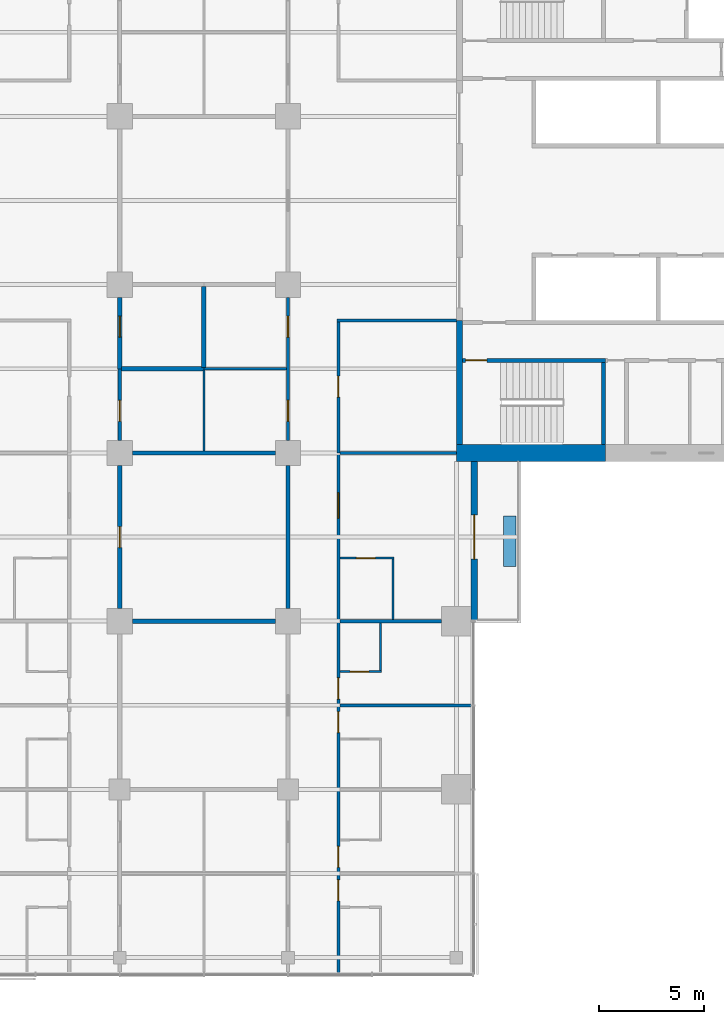
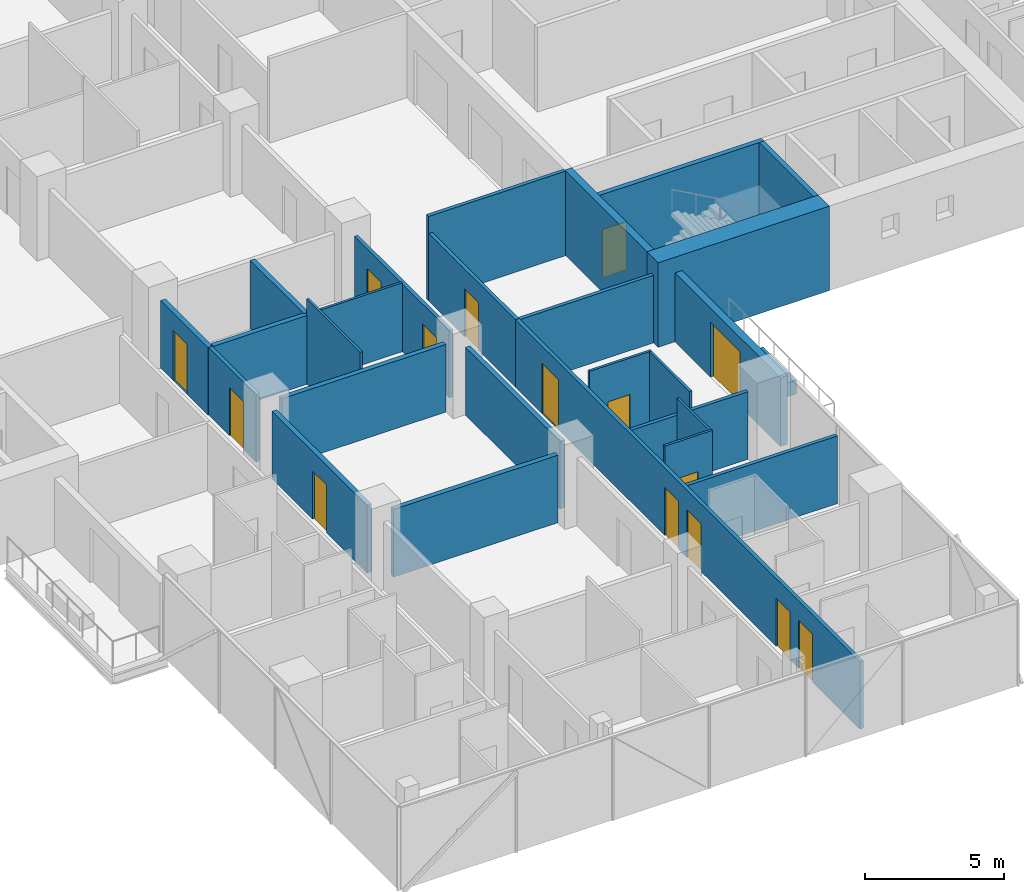
# One storey, part 17 of 29: 27 walls, 15 doors, 15 openings.
"""IFC4 building model written with IfcOpenShell, lengths in metres."""

from ifc_helpers import new_model, si_unit, direction, frame, frame_2d, origin, place, context, subcontext, project, spatial, rectangle, extrude, material, layer, layer_set, constituent, constituent_set, type_object, element, fill, save


model = new_model("IFC4")

# Units and contexts
model_context = context("Model", 3, precision=1e-05, world=origin(), true_north=direction((0.0, 1.0)))
body_context = subcontext(model_context, "Body", "Model", "MODEL_VIEW")
ifc_project = project(units=[si_unit("LENGTHUNIT", "METRE"), si_unit("AREAUNIT", "SQUARE_METRE"), si_unit("VOLUMEUNIT", "CUBIC_METRE"), si_unit("PLANEANGLEUNIT", "RADIAN"), si_unit("MASSUNIT", "GRAM", prefix="KILO")], contexts=[model_context])

# Site, building, storey
site_placement = place(None, origin())
site = spatial("IfcSite", under=ifc_project, at=site_placement, CompositionType="ELEMENT")
building_placement = place(site_placement, origin())
building = spatial("IfcBuilding", under=site, at=building_placement, Name="Crosswind Convention Tower", CompositionType="ELEMENT")
storey_placement = place(building_placement, frame((0.0, 0.0, 60.89990234375)))
storey = spatial("IfcBuildingStorey", under=building, at=storey_placement, Name="L09", CompositionType="ELEMENT", Elevation=60.89990234375)

# Wall
ifc_material_1 = material(Name="Concrete blockwork", Category="masonry")
ifc_layer_1 = layer(ifc_material_1, 0.199951171875)
ifc_layer_set_1 = layer_set([ifc_layer_1], Name="COMPARTMENT WALL 200")
wall_type_1 = type_object("IfcWallType", Name="COMPARTMENT WALL 200", PredefinedType="SOLIDWALL", material=ifc_layer_set_1)
wall_1_placement = place(storey_placement, frame((121.074951171875, 92.0, 0.0), z_axis=(0.0, 0.0, 1.0), x_axis=(1.0, 0.0, 0.0)))
element("IfcWall", 1, at=wall_1_placement, inside=storey, type_object=wall_type_1, Name="Compartment Wall 28", PredefinedType="SOLIDWALL", context=body_context, shape_type="SweptSolid", body=[
    extrude(rectangle(XDim=3.925048828125, YDim=0.199951171875, at=frame_2d((1.96240234375, 0.0))), origin(), (0.0, 0.0, 1.0), 3.013671875),
])

# Wall, opening, door
wall_2_placement = place(storey_placement, frame((121.0, 92.0, 0.0), z_axis=(0.0, 0.0, 1.0), x_axis=(0.0, 1.0, 0.0)))
wall_2 = element("IfcWall", 2, at=wall_2_placement, inside=storey, type_object=wall_type_1, Name="Compartment Wall 112", PredefinedType="SOLIDWALL", context=body_context, shape_type="SweptSolid", body=[
    extrude(rectangle(XDim=3.39990234375, YDim=0.199951171875, at=frame_2d((1.699951171875, 0.0))), origin(), (0.0, 0.0, 1.0), 2.9599609375),
])
opening_1_placement = place(wall_2_placement, frame((1.5, 0.0, 0.0)))
opening_1 = element("IfcOpeningElement", 3, at=opening_1_placement, cuts=wall_2, Name="Opening 09.076", PredefinedType="OPENING", context=body_context, shape_type="SweptSolid", body=[
    extrude(rectangle(XDim=1.0, YDim=2.199951171875, at=frame_2d((0.5, 1.10009765625))), frame((0.0, 0.10986328125, 0.0), z_axis=(0.0, -1.0, 0.0), x_axis=(1.0, 0.0, 0.0)), (0.0, 0.0, 1.0), 0.219970703125),
])
ifc_material_2 = material(Name="Steel fire door", Category="steel")
door_type_1 = type_object("IfcDoorType", Name="PLANT ROOM DOOR 1000X2200", OperationType="NOTDEFINED", PredefinedType="DOOR", material=ifc_material_2)
door_1_placement = place(opening_1_placement, frame((1.0, 0.0, 0.0), z_axis=(0.0, 0.0, 1.0), x_axis=(-1.0, 0.0, 0.0)))
door_1 = element("IfcDoor", 4, at=door_1_placement, inside=storey, type_object=door_type_1, Name="Door 09.076", ObjectType="D6", OperationType="SINGLE_SWING_LEFT", OverallHeight=2.199951171875, OverallWidth=1.0, PredefinedType="DOOR", context=body_context, shape_type="SweptSolid", body=[
    extrude(rectangle(XDim=1.0, YDim=2.199951171875, at=frame_2d((0.5, 1.10009765625))), frame((0.0, 0.02490234375, 0.0), z_axis=(0.0, -1.0, 0.0), x_axis=(1.0, 0.0, 0.0)), (0.0, 0.0, 1.0), 0.050048828125),
])
fill(opening_1, door_1)

# Walls
wall_3_placement = place(storey_placement, frame((125.0, 92.050048828125, 0.0), z_axis=(0.0, 0.0, 1.0), x_axis=(0.0, 1.0, 0.0)))
element("IfcWall", 5, at=wall_3_placement, inside=storey, type_object=wall_type_1, Name="Compartment Wall 123", PredefinedType="SOLIDWALL", context=body_context, shape_type="SweptSolid", body=[
    extrude(rectangle(XDim=3.849853515625, YDim=0.199951171875, at=frame_2d((1.9248046875, 0.0))), origin(), (0.0, 0.0, 1.0), 3.013671875),
])
ifc_material_3 = material(Name="Plasterboard partition", Category="gypsum")
ifc_layer_2 = layer(ifc_material_3, 0.14990234375)
ifc_layer_set_2 = layer_set([ifc_layer_2], Name="CORRIDOR WALL 150")
wall_type_2 = type_object("IfcWallType", Name="CORRIDOR WALL 150", PredefinedType="PARTITIONING", material=ifc_layer_set_2)
wall_4_placement = place(storey_placement, frame((131.324951171875, 94.300048828125, 0.0), z_axis=(0.0, 0.0, 1.0), x_axis=(1.0, 0.0, 0.0)))
element("IfcWall", 6, at=wall_4_placement, inside=storey, type_object=wall_type_2, Name="Corridor Wall 32", PredefinedType="PARTITIONING", context=body_context, shape_type="SweptSolid", body=[
    extrude(rectangle(XDim=5.675048828125, YDim=0.14990234375, at=frame_2d((2.83740234375, 0.0))), origin(), (0.0, 0.0, 1.0), 3.7001953125),
])

# Wall, opening, door
wall_5_placement = place(storey_placement, frame((121.0, 88.60009765625, 0.0), z_axis=(0.0, 0.0, 1.0), x_axis=(0.0, 1.0, 0.0)))
wall_5 = element("IfcWall", 7, at=wall_5_placement, inside=storey, type_object=wall_type_2, Name="Corridor Wall 111", PredefinedType="PARTITIONING", context=body_context, shape_type="SweptSolid", body=[
    extrude(rectangle(XDim=3.39990234375, YDim=0.14990234375, at=frame_2d((1.699951171875, 0.0))), origin(), (0.0, 0.0, 1.0), 2.9599609375),
])
opening_2_placement = place(wall_5_placement, frame((0.89990234375, 0.0, 0.0)))
opening_2 = element("IfcOpeningElement", 8, at=opening_2_placement, cuts=wall_5, Name="Opening 09.075", PredefinedType="OPENING", context=body_context, shape_type="SweptSolid", body=[
    extrude(rectangle(XDim=1.0, YDim=2.10009765625, at=frame_2d((0.5, 1.050048828125))), frame((0.0, 0.0849609375, 0.0), z_axis=(0.0, -1.0, 0.0), x_axis=(1.0, 0.0, 0.0)), (0.0, 0.0, 1.0), 0.169921875),
])
ifc_material_4 = material(Name="Timber fire door", Category="wood")
door_type_2 = type_object("IfcDoorType", Name="SERVICE ROOM DOOR 1000X2100", OperationType="NOTDEFINED", PredefinedType="DOOR", material=ifc_material_4)
door_2_placement = place(opening_2_placement, frame((1.0, 0.0, 0.0), z_axis=(0.0, 0.0, 1.0), x_axis=(-1.0, 0.0, 0.0)))
door_2 = element("IfcDoor", 9, at=door_2_placement, inside=storey, type_object=door_type_2, Name="Door 09.075", ObjectType="D3", OperationType="SINGLE_SWING_RIGHT", OverallHeight=2.10009765625, OverallWidth=1.0, PredefinedType="DOOR", context=body_context, shape_type="SweptSolid", body=[
    extrude(rectangle(XDim=1.0, YDim=2.10009765625, at=frame_2d((0.5, 1.050048828125))), frame((0.0, 0.02490234375, 0.0), z_axis=(0.0, -1.0, 0.0), x_axis=(1.0, 0.0, 0.0)), (0.0, 0.0, 1.0), 0.050048828125),
])
fill(opening_2, door_2)

# Wall, openings, doors
wall_6_placement = place(storey_placement, frame((129.0, 88.60009765625, 0.0), z_axis=(0.0, 0.0, 1.0), x_axis=(0.0, 1.0, 0.0)))
wall_6 = element("IfcWall", 10, at=wall_6_placement, inside=storey, type_object=wall_type_2, Name="Corridor Wall 132", PredefinedType="PARTITIONING", context=body_context, shape_type="SweptSolid", body=[
    extrude(rectangle(XDim=6.7998046875, YDim=0.14990234375, at=frame_2d((3.39990234375, 0.0))), origin(), (0.0, 0.0, 1.0), 2.9599609375),
])
opening_3_placement = place(wall_6_placement, frame((0.89990234375, 0.0, 0.0)))
opening_3 = element("IfcOpeningElement", 11, at=opening_3_placement, cuts=wall_6, Name="Opening 09.077", PredefinedType="OPENING", context=body_context, shape_type="SweptSolid", body=[
    extrude(rectangle(XDim=1.0, YDim=2.10009765625, at=frame_2d((0.5, 1.050048828125))), frame((0.0, 0.0849609375, 0.0), z_axis=(0.0, -1.0, 0.0), x_axis=(1.0, 0.0, 0.0)), (0.0, 0.0, 1.0), 0.169921875),
])
opening_4_placement = place(wall_6_placement, frame((4.89990234375, 0.0, 0.0)))
opening_4 = element("IfcOpeningElement", 12, at=opening_4_placement, cuts=wall_6, Name="Opening 09.078", PredefinedType="OPENING", context=body_context, shape_type="SweptSolid", body=[
    extrude(rectangle(XDim=1.0, YDim=2.10009765625, at=frame_2d((0.5, 1.050048828125))), frame((0.0, 0.0849609375, 0.0), z_axis=(0.0, -1.0, 0.0), x_axis=(1.0, 0.0, 0.0)), (0.0, 0.0, 1.0), 0.169921875),
])
door_3_placement = place(opening_3_placement, origin())
door_3 = element("IfcDoor", 13, at=door_3_placement, inside=storey, type_object=door_type_2, Name="Door 09.077", ObjectType="D3", OperationType="SINGLE_SWING_LEFT", OverallHeight=2.10009765625, OverallWidth=1.0, PredefinedType="DOOR", context=body_context, shape_type="SweptSolid", body=[
    extrude(rectangle(XDim=1.0, YDim=2.10009765625, at=frame_2d((0.5, 1.050048828125))), frame((0.0, 0.02490234375, 0.0), z_axis=(0.0, -1.0, 0.0), x_axis=(1.0, 0.0, 0.0)), (0.0, 0.0, 1.0), 0.050048828125),
])
fill(opening_3, door_3)
door_4_placement = place(opening_4_placement, origin())
door_4 = element("IfcDoor", 14, at=door_4_placement, inside=storey, type_object=door_type_2, Name="Door 09.078", ObjectType="D3", OperationType="SINGLE_SWING_RIGHT", OverallHeight=2.10009765625, OverallWidth=1.0, PredefinedType="DOOR", context=body_context, shape_type="SweptSolid", body=[
    extrude(rectangle(XDim=1.0, YDim=2.10009765625, at=frame_2d((0.5, 1.050048828125))), frame((0.0, 0.02490234375, 0.0), z_axis=(0.0, -1.0, 0.0), x_axis=(1.0, 0.0, 0.0)), (0.0, 0.0, 1.0), 0.050048828125),
])
fill(opening_4, door_4)

# Wall, opening, door
wall_7_placement = place(storey_placement, frame((131.39990234375, 88.0, 0.0), z_axis=(0.0, 0.0, 1.0), x_axis=(0.0, 1.0, 0.0)))
wall_7 = element("IfcWall", 15, at=wall_7_placement, inside=storey, type_object=wall_type_2, Name="Corridor Wall 140", PredefinedType="PARTITIONING", context=body_context, shape_type="SweptSolid", body=[
    extrude(rectangle(XDim=6.22509765625, YDim=0.14990234375, at=frame_2d((3.112548828125, 0.0))), origin(), (0.0, 0.0, 1.0), 2.95654296875),
])
opening_5_placement = place(wall_7_placement, frame((2.64990234375, 0.0, 0.0)))
opening_5 = element("IfcOpeningElement", 16, at=opening_5_placement, cuts=wall_7, Name="Opening 09.002", PredefinedType="OPENING", context=body_context, shape_type="SweptSolid", body=[
    extrude(rectangle(XDim=1.0, YDim=2.10009765625, at=frame_2d((0.5, 1.050048828125))), frame((0.0, 0.0849609375, 0.0), z_axis=(0.0, -1.0, 0.0), x_axis=(1.0, 0.0, 0.0)), (0.0, 0.0, 1.0), 0.169921875),
])
door_5_placement = place(opening_5_placement, frame((1.0, 0.0, 0.0), z_axis=(0.0, 0.0, 1.0), x_axis=(-1.0, 0.0, 0.0)))
door_5 = element("IfcDoor", 17, at=door_5_placement, inside=storey, type_object=door_type_2, Name="Door 09.002", ObjectType="D3", OperationType="SINGLE_SWING_LEFT", OverallHeight=2.10009765625, OverallWidth=1.0, PredefinedType="DOOR", context=body_context, shape_type="SweptSolid", body=[
    extrude(rectangle(XDim=1.0, YDim=2.10009765625, at=frame_2d((0.5, 1.050048828125))), frame((0.0, 0.02490234375, 0.0), z_axis=(0.0, -1.0, 0.0), x_axis=(1.0, 0.0, 0.0)), (0.0, 0.0, 1.0), 0.050048828125),
])
fill(opening_5, door_5)

# Walls
ifc_material_5 = material(Name="Concrete C50/60", Category="concrete")
ifc_layer_3 = layer(ifc_material_5, 0.300048828125)
ifc_layer_set_3 = layer_set([ifc_layer_3], Name="Concrete C50/60")
wall_type_3 = type_object("IfcWallType", Name="Concrete inner core wall 300", PredefinedType="SHEAR", material=ifc_layer_set_3)
wall_8_placement = place(storey_placement, frame((137.14990234375, 88.39990234375, 0.0), z_axis=(0.0, 0.0, 1.0), x_axis=(0.0, 1.0, 0.0)))
element("IfcWall", 18, at=wall_8_placement, inside=storey, type_object=wall_type_3, Name="Wall EM E L09", PredefinedType="SHEAR", context=body_context, shape_type="SweptSolid", body=[
    extrude(rectangle(XDim=5.900146484375, YDim=0.300048828125, at=frame_2d((2.9501953125, 0.0))), origin(), (0.0, 0.0, 1.0), 3.7001953125),
])
ifc_layer_4 = layer(ifc_material_5, 0.199951171875)
ifc_layer_set_4 = layer_set([ifc_layer_4], Name="Concrete C50/60")
wall_type_4 = type_object("IfcWallType", Name="Concrete shaft and stair wall 200", PredefinedType="SHEAR", material=ifc_layer_set_4)
wall_9_placement = place(storey_placement, frame((144.0, 88.39990234375, 0.0), z_axis=(0.0, 0.0, 1.0), x_axis=(0.0, 1.0, 0.0)))
element("IfcWall", 19, at=wall_9_placement, inside=storey, type_object=wall_type_4, Name="Wall MSE E L09", PredefinedType="SHEAR", context=body_context, shape_type="SweptSolid", body=[
    extrude(rectangle(XDim=3.900146484375, YDim=0.199951171875, at=frame_2d((1.9501953125, 0.0))), origin(), (0.0, 0.0, 1.0), 3.7001953125),
])

# Wall, opening, door
wall_10_placement = place(storey_placement, frame((137.300048828125, 92.39990234375, 0.0), z_axis=(0.0, 0.0, 1.0), x_axis=(1.0, 0.0, 0.0)))
wall_10 = element("IfcWall", 20, at=wall_10_placement, inside=storey, type_object=wall_type_4, Name="Wall MCW E L09", PredefinedType="SHEAR", context=body_context, shape_type="SweptSolid", body=[
    extrude(rectangle(XDim=6.800048828125, YDim=0.199951171875, at=frame_2d((3.39990234375, 0.0))), origin(), (0.0, 0.0, 1.0), 3.7001953125),
])
opening_6_placement = place(wall_10_placement, frame((0.14990234375, 0.0, 0.0)))
opening_6 = element("IfcOpeningElement", 21, at=opening_6_placement, cuts=wall_10, Name="Opening D103", PredefinedType="OPENING", context=body_context, shape_type="SweptSolid", body=[
    extrude(rectangle(XDim=1.0, YDim=2.10009765625, at=frame_2d((0.5, 1.050048828125))), frame((0.0, 0.10986328125, 0.0), z_axis=(0.0, -1.0, 0.0), x_axis=(1.0, 0.0, 0.0)), (0.0, 0.0, 1.0), 0.219970703125),
])
door_type_3 = type_object("IfcDoorType", Name="Fire-rated single door 1000x2100", OperationType="NOTDEFINED", PredefinedType="DOOR", material=ifc_material_2)
door_6_placement = place(opening_6_placement, frame((1.0, 0.0, 0.0), z_axis=(0.0, 0.0, 1.0), x_axis=(-1.0, 0.0, 0.0)))
door_6 = element("IfcDoor", 22, at=door_6_placement, inside=storey, type_object=door_type_3, Name="Stair ST2 door L09", ObjectType="D103", OperationType="SINGLE_SWING_RIGHT", OverallHeight=2.10009765625, OverallWidth=1.0, PredefinedType="DOOR", context=body_context, shape_type="SweptSolid", body=[
    extrude(rectangle(XDim=1.0, YDim=2.10009765625, at=frame_2d((0.5, 1.050048828125))), frame((0.0, 0.02490234375, 0.0), z_axis=(0.0, -1.0, 0.0), x_axis=(1.0, 0.0, 0.0)), (0.0, 0.0, 1.0), 0.050048828125),
])
fill(opening_6, door_6)

# Walls
ifc_material_6 = material(Name="Acoustic plasterboard partition", Category="gypsum")
ifc_layer_5 = layer(ifc_material_6, 0.14990234375)
ifc_layer_set_5 = layer_set([ifc_layer_5], Name="GUEST ROOM WALL 150")
wall_type_5 = type_object("IfcWallType", Name="GUEST ROOM WALL 150", PredefinedType="PARTITIONING", material=ifc_layer_set_5)
wall_11_placement = place(storey_placement, frame((131.47509765625, 76.0, 0.0), z_axis=(0.0, 0.0, 1.0), x_axis=(1.0, 0.0, 0.0)))
element("IfcWall", 23, at=wall_11_placement, inside=storey, type_object=wall_type_5, Name="Guest Room Wall 14", PredefinedType="PARTITIONING", context=body_context, shape_type="SweptSolid", body=[
    extrude(rectangle(XDim=6.224853515625, YDim=0.14990234375, at=frame_2d((3.1123046875, 0.0))), origin(), (0.0, 0.0, 1.0), 2.962890625),
])
wall_12_placement = place(storey_placement, frame((131.47509765625, 80.0, 0.0), z_axis=(0.0, 0.0, 1.0), x_axis=(1.0, 0.0, 0.0)))
element("IfcWall", 24, at=wall_12_placement, inside=storey, type_object=wall_type_5, Name="Guest Room Wall 19", PredefinedType="PARTITIONING", context=body_context, shape_type="SweptSolid", body=[
    extrude(rectangle(XDim=4.824951171875, YDim=0.14990234375, at=frame_2d((2.41259765625, 0.0))), origin(), (0.0, 0.0, 1.0), 2.9599609375),
])
wall_13_placement = place(storey_placement, frame((131.47509765625, 88.0, 0.0), z_axis=(0.0, 0.0, 1.0), x_axis=(1.0, 0.0, 0.0)))
element("IfcWall", 25, at=wall_13_placement, inside=storey, type_object=wall_type_5, Name="Guest Room Wall 24", PredefinedType="PARTITIONING", context=body_context, shape_type="SweptSolid", body=[
    extrude(rectangle(XDim=5.52490234375, YDim=0.14990234375, at=frame_2d((2.762451171875, 0.0))), origin(), (0.0, 0.0, 1.0), 2.95654296875),
])

# Wall, openings, doors
wall_14_placement = place(storey_placement, frame((131.39990234375, 63.300048828125, 0.0), z_axis=(0.0, 0.0, 1.0), x_axis=(0.0, 1.0, 0.0)))
wall_14 = element("IfcWall", 26, at=wall_14_placement, inside=storey, type_object=wall_type_5, Name="Guest Room Wall 139", PredefinedType="PARTITIONING", context=body_context, shape_type="SweptSolid", body=[
    extrude(rectangle(XDim=24.699951171875, YDim=0.14990234375, at=frame_2d((12.35009765625, 0.0))), origin(), (0.0, 0.0, 1.0), 2.95654296875),
])
opening_7_placement = place(wall_14_placement, frame((21.60009765625, 0.0, 0.0)))
opening_7 = element("IfcOpeningElement", 27, at=opening_7_placement, cuts=wall_14, Name="Opening 09.025", PredefinedType="OPENING", context=body_context, shape_type="SweptSolid", body=[
    extrude(rectangle(XDim=1.199951171875, YDim=2.199951171875, at=frame_2d((0.60009765625, 1.10009765625))), frame((0.0, 0.0849609375, 0.0), z_axis=(0.0, -1.0, 0.0), x_axis=(1.0, 0.0, 0.0)), (0.0, 0.0, 1.0), 0.169921875),
])
opening_8_placement = place(wall_14_placement, frame((13.0, 0.0, 0.0)))
opening_8 = element("IfcOpeningElement", 28, at=opening_8_placement, cuts=wall_14, Name="Opening 09.027", PredefinedType="OPENING", context=body_context, shape_type="SweptSolid", body=[
    extrude(rectangle(XDim=1.0, YDim=2.10009765625, at=frame_2d((0.5, 1.050048828125))), frame((0.0, 0.0849609375, 0.0), z_axis=(0.0, -1.0, 0.0), x_axis=(1.0, 0.0, 0.0)), (0.0, 0.0, 1.0), 0.169921875),
])
opening_9_placement = place(wall_14_placement, frame((11.39990234375, 0.0, 0.0)))
opening_9 = element("IfcOpeningElement", 29, at=opening_9_placement, cuts=wall_14, Name="Opening 09.029", PredefinedType="OPENING", context=body_context, shape_type="SweptSolid", body=[
    extrude(rectangle(XDim=1.0, YDim=2.10009765625, at=frame_2d((0.5, 1.050048828125))), frame((0.0, 0.0849609375, 0.0), z_axis=(0.0, -1.0, 0.0), x_axis=(1.0, 0.0, 0.0)), (0.0, 0.0, 1.0), 0.169921875),
])
opening_10_placement = place(wall_14_placement, frame((5.0, 0.0, 0.0)))
opening_10 = element("IfcOpeningElement", 30, at=opening_10_placement, cuts=wall_14, Name="Opening 09.031", PredefinedType="OPENING", context=body_context, shape_type="SweptSolid", body=[
    extrude(rectangle(XDim=1.0, YDim=2.10009765625, at=frame_2d((0.5, 1.050048828125))), frame((0.0, 0.0849609375, 0.0), z_axis=(0.0, -1.0, 0.0), x_axis=(1.0, 0.0, 0.0)), (0.0, 0.0, 1.0), 0.169921875),
])
opening_11_placement = place(wall_14_placement, frame((3.39990234375, 0.0, 0.0)))
opening_11 = element("IfcOpeningElement", 31, at=opening_11_placement, cuts=wall_14, Name="Opening 09.033", PredefinedType="OPENING", context=body_context, shape_type="SweptSolid", body=[
    extrude(rectangle(XDim=1.0, YDim=2.10009765625, at=frame_2d((0.5, 1.050048828125))), frame((0.0, 0.0849609375, 0.0), z_axis=(0.0, -1.0, 0.0), x_axis=(1.0, 0.0, 0.0)), (0.0, 0.0, 1.0), 0.169921875),
])
door_type_4 = type_object("IfcDoorType", Name="GUEST ROOM DOOR 1000X2100", OperationType="NOTDEFINED", PredefinedType="DOOR", material=ifc_material_4)
door_7_placement = place(opening_8_placement, frame((1.0, 0.0, 0.0), z_axis=(0.0, 0.0, 1.0), x_axis=(-1.0, 0.0, 0.0)))
door_7 = element("IfcDoor", 32, at=door_7_placement, inside=storey, type_object=door_type_4, Name="Door 09.027", ObjectType="D1", OperationType="SINGLE_SWING_LEFT", OverallHeight=2.10009765625, OverallWidth=1.0, PredefinedType="DOOR", context=body_context, shape_type="SweptSolid", body=[
    extrude(rectangle(XDim=1.0, YDim=2.10009765625, at=frame_2d((0.5, 1.050048828125))), frame((0.0, 0.02490234375, 0.0), z_axis=(0.0, -1.0, 0.0), x_axis=(1.0, 0.0, 0.0)), (0.0, 0.0, 1.0), 0.050048828125),
])
fill(opening_8, door_7)
door_8_placement = place(opening_9_placement, frame((1.0, 0.0, 0.0), z_axis=(0.0, 0.0, 1.0), x_axis=(-1.0, 0.0, 0.0)))
door_8 = element("IfcDoor", 33, at=door_8_placement, inside=storey, type_object=door_type_4, Name="Door 09.029", ObjectType="D1", OperationType="SINGLE_SWING_LEFT", OverallHeight=2.10009765625, OverallWidth=1.0, PredefinedType="DOOR", context=body_context, shape_type="SweptSolid", body=[
    extrude(rectangle(XDim=1.0, YDim=2.10009765625, at=frame_2d((0.5, 1.050048828125))), frame((0.0, 0.02490234375, 0.0), z_axis=(0.0, -1.0, 0.0), x_axis=(1.0, 0.0, 0.0)), (0.0, 0.0, 1.0), 0.050048828125),
])
fill(opening_9, door_8)
door_9_placement = place(opening_10_placement, frame((1.0, 0.0, 0.0), z_axis=(0.0, 0.0, 1.0), x_axis=(-1.0, 0.0, 0.0)))
door_9 = element("IfcDoor", 34, at=door_9_placement, inside=storey, type_object=door_type_4, Name="Door 09.031", ObjectType="D1", OperationType="SINGLE_SWING_LEFT", OverallHeight=2.10009765625, OverallWidth=1.0, PredefinedType="DOOR", context=body_context, shape_type="SweptSolid", body=[
    extrude(rectangle(XDim=1.0, YDim=2.10009765625, at=frame_2d((0.5, 1.050048828125))), frame((0.0, 0.02490234375, 0.0), z_axis=(0.0, -1.0, 0.0), x_axis=(1.0, 0.0, 0.0)), (0.0, 0.0, 1.0), 0.050048828125),
])
fill(opening_10, door_9)
door_10_placement = place(opening_11_placement, frame((1.0, 0.0, 0.0), z_axis=(0.0, 0.0, 1.0), x_axis=(-1.0, 0.0, 0.0)))
door_10 = element("IfcDoor", 35, at=door_10_placement, inside=storey, type_object=door_type_4, Name="Door 09.033", ObjectType="D1", OperationType="SINGLE_SWING_LEFT", OverallHeight=2.10009765625, OverallWidth=1.0, PredefinedType="DOOR", context=body_context, shape_type="SweptSolid", body=[
    extrude(rectangle(XDim=1.0, YDim=2.10009765625, at=frame_2d((0.5, 1.050048828125))), frame((0.0, 0.02490234375, 0.0), z_axis=(0.0, -1.0, 0.0), x_axis=(1.0, 0.0, 0.0)), (0.0, 0.0, 1.0), 0.050048828125),
])
fill(opening_11, door_10)
door_type_5 = type_object("IfcDoorType", Name="SUITE DOOR 1200X2200", OperationType="DOUBLE_DOOR_SINGLE_SWING", PredefinedType="DOOR", material=ifc_material_4)
door_11_placement = place(opening_7_placement, frame((1.199951171875, 0.0, 0.0), z_axis=(0.0, 0.0, 1.0), x_axis=(-1.0, 0.0, 0.0)))
door_11 = element("IfcDoor", 36, at=door_11_placement, inside=storey, type_object=door_type_5, Name="Door 09.025", ObjectType="D14", OperationType="DOUBLE_DOOR_SINGLE_SWING", OverallHeight=2.199951171875, OverallWidth=1.199951171875, PredefinedType="DOOR", context=body_context, shape_type="SweptSolid", body=[
    extrude(rectangle(XDim=1.199951171875, YDim=2.199951171875, at=frame_2d((0.60009765625, 1.10009765625))), frame((0.0, 0.02490234375, 0.0), z_axis=(0.0, -1.0, 0.0), x_axis=(1.0, 0.0, 0.0)), (0.0, 0.0, 1.0), 0.050048828125),
])
fill(opening_7, door_11)

# Walls
ifc_material_7 = material(Name="Double plasterboard partition", Category="gypsum")
ifc_layer_6 = layer(ifc_material_7, 0.199951171875)
ifc_layer_set_6 = layer_set([ifc_layer_6], Name="HALL WALL 200")
wall_type_6 = type_object("IfcWallType", Name="HALL WALL 200", PredefinedType="PARTITIONING", material=ifc_layer_set_6)
for number, where, z_axis, x_axis, name in (
    (37, (121.60009765625, 80.0, 0.0), (0.0, 0.0, 1.0), (1.0, 0.0, 0.0), "Hall Wall 18"),
    (38, (121.60009765625, 88.0, 0.0), (0.0, 0.0, 1.0), (1.0, 0.0, 0.0), "Hall Wall 23"),
):
    element("IfcWall", number, at=place(storey_placement, frame(where, z_axis=z_axis, x_axis=x_axis)), inside=storey, type_object=wall_type_6, Name=name, PredefinedType="PARTITIONING", context=body_context, shape_type="SweptSolid", body=[
        extrude(rectangle(XDim=6.7998046875, YDim=0.199951171875, at=frame_2d((3.39990234375, 0.0))), origin(), (0.0, 0.0, 1.0), 2.9599609375),
    ])

# Wall, opening, door
wall_15_placement = place(storey_placement, frame((121.0, 80.60009765625, 0.0), z_axis=(0.0, 0.0, 1.0), x_axis=(0.0, 1.0, 0.0)))
wall_15 = element("IfcWall", 39, at=wall_15_placement, inside=storey, type_object=wall_type_6, Name="Hall Wall 110", PredefinedType="PARTITIONING", context=body_context, shape_type="SweptSolid", body=[
    extrude(rectangle(XDim=6.7998046875, YDim=0.199951171875, at=frame_2d((3.39990234375, 0.0))), origin(), (0.0, 0.0, 1.0), 2.9599609375),
])
opening_12_placement = place(wall_15_placement, frame((2.89990234375, 0.0, 0.0)))
opening_12 = element("IfcOpeningElement", 40, at=opening_12_placement, cuts=wall_15, Name="Opening 09.074", PredefinedType="OPENING", context=body_context, shape_type="SweptSolid", body=[
    extrude(rectangle(XDim=1.0, YDim=2.10009765625, at=frame_2d((0.5, 1.050048828125))), frame((0.0, 0.10986328125, 0.0), z_axis=(0.0, -1.0, 0.0), x_axis=(1.0, 0.0, 0.0)), (0.0, 0.0, 1.0), 0.219970703125),
])
door_type_6 = type_object("IfcDoorType", Name="MEETING ROOM DOOR 1000X2100", OperationType="NOTDEFINED", PredefinedType="DOOR", material=ifc_material_4)
door_12_placement = place(opening_12_placement, origin())
door_12 = element("IfcDoor", 41, at=door_12_placement, inside=storey, type_object=door_type_6, Name="Door 09.074", ObjectType="D13", OperationType="SINGLE_SWING_RIGHT", OverallHeight=2.10009765625, OverallWidth=1.0, PredefinedType="DOOR", context=body_context, shape_type="SweptSolid", body=[
    extrude(rectangle(XDim=1.0, YDim=2.10009765625, at=frame_2d((0.5, 1.050048828125))), frame((0.0, 0.02490234375, 0.0), z_axis=(0.0, -1.0, 0.0), x_axis=(1.0, 0.0, 0.0)), (0.0, 0.0, 1.0), 0.050048828125),
])
fill(opening_12, door_12)

# Walls
wall_16_placement = place(storey_placement, frame((129.0, 80.60009765625, 0.0), z_axis=(0.0, 0.0, 1.0), x_axis=(0.0, 1.0, 0.0)))
element("IfcWall", 42, at=wall_16_placement, inside=storey, type_object=wall_type_6, Name="Hall Wall 131", PredefinedType="PARTITIONING", context=body_context, shape_type="SweptSolid", body=[
    extrude(rectangle(XDim=6.7998046875, YDim=0.199951171875, at=frame_2d((3.39990234375, 0.0))), origin(), (0.0, 0.0, 1.0), 2.9599609375),
])
ifc_layer_7 = layer(ifc_material_3, 0.10009765625)
ifc_layer_set_7 = layer_set([ifc_layer_7], Name="PARTITION 100")
wall_type_7 = type_object("IfcWallType", Name="PARTITION 100", PredefinedType="PARTITIONING", material=ifc_layer_set_7)
wall_17_placement = place(storey_placement, frame((125.0, 92.0, 0.0), z_axis=(0.0, 0.0, 1.0), x_axis=(1.0, 0.0, 0.0)))
element("IfcWall", 43, at=wall_17_placement, inside=storey, type_object=wall_type_7, Name="Partition 29", PredefinedType="PARTITIONING", context=body_context, shape_type="SweptSolid", body=[
    extrude(rectangle(XDim=3.925048828125, YDim=0.10009765625, at=frame_2d((1.96240234375, 0.0))), origin(), (0.0, 0.0, 1.0), 3.013671875),
])
wall_18_placement = place(storey_placement, frame((125.0, 88.10009765625, 0.0), z_axis=(0.0, 0.0, 1.0), x_axis=(0.0, 1.0, 0.0)))
element("IfcWall", 44, at=wall_18_placement, inside=storey, type_object=wall_type_7, Name="Partition 122", PredefinedType="PARTITIONING", context=body_context, shape_type="SweptSolid", body=[
    extrude(rectangle(XDim=3.849853515625, YDim=0.10009765625, at=frame_2d((1.9248046875, 0.0))), origin(), (0.0, 0.0, 1.0), 3.7001953125),
])
ifc_material_8 = material(Name="Concrete C30/37", Category="concrete")
ifc_layer_8 = layer(ifc_material_8, 0.60009765625)
ifc_layer_set_8 = layer_set([ifc_layer_8], Name="Concrete C30/37")
wall_type_8 = type_object("IfcWallType", Name="PLANTER BOX WALL 600", PredefinedType="SOLIDWALL", material=ifc_layer_set_8)
wall_19_placement = place(storey_placement, frame((139.550048828125, 82.60009765625, 0.0), z_axis=(0.0, 0.0, 1.0), x_axis=(0.0, 1.0, 0.0)))
element("IfcWall", 45, at=wall_19_placement, inside=storey, type_object=wall_type_8, Name="PLANTER L09 S-E.1-3", PredefinedType="SOLIDWALL", context=body_context, shape_type="SweptSolid", body=[
    extrude(rectangle(XDim=2.39990234375, YDim=0.60009765625, at=frame_2d((1.199951171875, 0.0))), origin(), (0.0, 0.0, 1.0), 0.60009765625),
])

# Wall, opening, door
ifc_material_9 = material(Name="Terracotta rainscreen", Category="ceramic")
ifc_layer_9 = layer(ifc_material_9, 0.02001953125)
ifc_material_10 = material(Name="Mineral wool insulation", Category="insulation")
ifc_layer_10 = layer(ifc_material_10, 0.10009765625)
ifc_layer_11 = layer(ifc_material_1, 0.179931640625)
ifc_layer_set_9 = layer_set([ifc_layer_9, ifc_layer_10, ifc_layer_11], Name="TERRACOTTA INFILL WALL 300")
wall_type_9 = type_object("IfcWallType", Name="TERRACOTTA INFILL WALL 300", PredefinedType="SOLIDWALL", material=ifc_layer_set_9)
wall_20_placement = place(storey_placement, frame((137.85009765625, 80.032470703125, 0.0), z_axis=(0.0, 0.0, 1.0), x_axis=(0.0, 1.0, 0.0)))
wall_20 = element("IfcWall", 46, at=wall_20_placement, inside=storey, type_object=wall_type_9, Name="Notch front wall L09 S-E.1-3", PredefinedType="SOLIDWALL", context=body_context, shape_type="SweptSolid", body=[
    extrude(rectangle(XDim=7.567626953125, YDim=0.300048828125, at=frame_2d((3.78369140625, 0.0))), origin(), (0.0, 0.0, 1.0), 3.013671875),
])
opening_13_placement = place(wall_20_placement, frame((2.91748046875, 0.0, 0.0)))
opening_13 = element("IfcOpeningElement", 47, at=opening_13_placement, cuts=wall_20, Name="Opening D141", PredefinedType="OPENING", context=body_context, shape_type="SweptSolid", body=[
    extrude(rectangle(XDim=2.10009765625, YDim=2.39990234375, at=frame_2d((1.050048828125, 1.199951171875))), frame((0.0, 0.159912109375, 0.0), z_axis=(0.0, -1.0, 0.0), x_axis=(1.0, 0.0, 0.0)), (0.0, 0.0, 1.0), 0.320068359375),
])
ifc_material_11 = material(Name="Aluminium glazed door", Category="aluminium")
door_type_7 = type_object("IfcDoorType", Name="BALCONY SLIDING DOOR 2100X2400", OperationType="SLIDING_TO_LEFT", PredefinedType="DOOR", material=ifc_material_11)
door_13_placement = place(opening_13_placement, frame((2.10009765625, 0.0, 0.0), z_axis=(0.0, 0.0, 1.0), x_axis=(-1.0, 0.0, 0.0)))
door_13 = element("IfcDoor", 48, at=door_13_placement, inside=storey, type_object=door_type_7, Name="D141 balcony door L09 S-E.1-3", ObjectType="D141", OperationType="SLIDING_TO_LEFT", OverallHeight=2.39990234375, OverallWidth=2.10009765625, PredefinedType="DOOR", context=body_context, shape_type="SweptSolid", body=[
    extrude(rectangle(XDim=2.10009765625, YDim=2.39990234375, at=frame_2d((1.050048828125, 1.199951171875))), frame((0.0, 0.02490234375, 0.0), z_axis=(0.0, -1.0, 0.0), x_axis=(1.0, 0.0, 0.0)), (0.0, 0.0, 1.0), 0.050048828125),
])
fill(opening_13, door_13)

# Wall
ifc_material_12 = material(Name="Concrete C60/75", Category="concrete")
ifc_constituent_1 = constituent(ifc_material_12, Name="Structure")
ifc_constituent_2 = constituent(ifc_material_9, Name="Facing")
ifc_constituent_set = constituent_set(constituents=[ifc_constituent_1, ifc_constituent_2], Name="Concrete C60/75, Terracotta rainscreen")
wall_type_10 = type_object("IfcWallType", Name="Terracotta rainscreen on concrete core wall 800", PredefinedType="SHEAR", material=ifc_constituent_set)
wall_21_placement = place(storey_placement, frame((137.0, 88.0, 0.0), z_axis=(0.0, 0.0, 1.0), x_axis=(1.0, 0.0, 0.0)))
element("IfcWall", 49, at=wall_21_placement, inside=storey, type_object=wall_type_10, Name="Wall S1 E L09", PredefinedType="SHEAR", context=body_context, shape_type="SweptSolid", body=[
    extrude(rectangle(XDim=7.10009765625, YDim=0.800048828125, at=frame_2d((3.550048828125, 0.0))), origin(), (0.0, 0.0, 1.0), 3.7001953125),
])

# Wall, opening, door
ifc_material_13 = material(Name="Water-resistant plasterboard partition", Category="gypsum")
ifc_layer_12 = layer(ifc_material_13, 0.10009765625)
ifc_layer_set_10 = layer_set([ifc_layer_12], Name="WET ROOM PARTITION 100")
wall_type_11 = type_object("IfcWallType", Name="WET ROOM PARTITION 100", PredefinedType="PLUMBINGWALL", material=ifc_layer_set_10)
wall_22_placement = place(storey_placement, frame((131.47509765625, 77.60009765625, 0.0), z_axis=(0.0, 0.0, 1.0), x_axis=(1.0, 0.0, 0.0)))
wall_22 = element("IfcWall", 50, at=wall_22_placement, inside=storey, type_object=wall_type_11, Name="Wet Room Partition 16", PredefinedType="PLUMBINGWALL", context=body_context, shape_type="SweptSolid", body=[
    extrude(rectangle(XDim=1.974853515625, YDim=0.10009765625, at=frame_2d((0.9873046875, 0.0))), origin(), (0.0, 0.0, 1.0), 3.7001953125),
])
opening_14_placement = place(wall_22_placement, frame((0.47509765625, 0.0, 0.0)))
opening_14 = element("IfcOpeningElement", 51, at=opening_14_placement, cuts=wall_22, Name="Opening 09.028", PredefinedType="OPENING", context=body_context, shape_type="SweptSolid", body=[
    extrude(rectangle(XDim=0.89990234375, YDim=2.10009765625, at=frame_2d((0.449951171875, 1.050048828125))), frame((0.0, 0.06005859375, 0.0), z_axis=(0.0, -1.0, 0.0), x_axis=(1.0, 0.0, 0.0)), (0.0, 0.0, 1.0), 0.1201171875),
])
ifc_material_14 = material(Name="Timber door", Category="wood")
door_type_8 = type_object("IfcDoorType", Name="EN-SUITE DOOR 900X2100", OperationType="NOTDEFINED", PredefinedType="DOOR", material=ifc_material_14)
door_14_placement = place(opening_14_placement, origin())
door_14 = element("IfcDoor", 52, at=door_14_placement, inside=storey, type_object=door_type_8, Name="Door 09.028", ObjectType="D2", OperationType="SINGLE_SWING_RIGHT", OverallHeight=2.10009765625, OverallWidth=0.89990234375, PredefinedType="DOOR", context=body_context, shape_type="SweptSolid", body=[
    extrude(rectangle(XDim=0.89990234375, YDim=2.10009765625, at=frame_2d((0.449951171875, 1.050048828125))), frame((0.0, 0.02490234375, 0.0), z_axis=(0.0, -1.0, 0.0), x_axis=(1.0, 0.0, 0.0)), (0.0, 0.0, 1.0), 0.050048828125),
])
fill(opening_14, door_14)

wall_23_placement = place(storey_placement, frame((131.47509765625, 83.0, 0.0), z_axis=(0.0, 0.0, 1.0), x_axis=(1.0, 0.0, 0.0)))
wall_23 = element("IfcWall", 53, at=wall_23_placement, inside=storey, type_object=wall_type_11, Name="Wet Room Partition 21", PredefinedType="PLUMBINGWALL", context=body_context, shape_type="SweptSolid", body=[
    extrude(rectangle(XDim=2.574951171875, YDim=0.10009765625, at=frame_2d((1.28759765625, 0.0))), origin(), (0.0, 0.0, 1.0), 3.7001953125),
])
opening_15_placement = place(wall_23_placement, frame((0.77490234375, 0.0, 0.0)))
opening_15 = element("IfcOpeningElement", 54, at=opening_15_placement, cuts=wall_23, Name="Opening 09.026", PredefinedType="OPENING", context=body_context, shape_type="SweptSolid", body=[
    extrude(rectangle(XDim=0.89990234375, YDim=2.10009765625, at=frame_2d((0.449951171875, 1.050048828125))), frame((0.0, 0.06005859375, 0.0), z_axis=(0.0, -1.0, 0.0), x_axis=(1.0, 0.0, 0.0)), (0.0, 0.0, 1.0), 0.1201171875),
])
door_15_placement = place(opening_15_placement, frame((0.89990234375, 0.0, 0.0), z_axis=(0.0, 0.0, 1.0), x_axis=(-1.0, 0.0, 0.0)))
door_15 = element("IfcDoor", 55, at=door_15_placement, inside=storey, type_object=door_type_8, Name="Door 09.026", ObjectType="D2", OperationType="SINGLE_SWING_LEFT", OverallHeight=2.10009765625, OverallWidth=0.89990234375, PredefinedType="DOOR", context=body_context, shape_type="SweptSolid", body=[
    extrude(rectangle(XDim=0.89990234375, YDim=2.10009765625, at=frame_2d((0.449951171875, 1.050048828125))), frame((0.0, 0.02490234375, 0.0), z_axis=(0.0, -1.0, 0.0), x_axis=(1.0, 0.0, 0.0)), (0.0, 0.0, 1.0), 0.050048828125),
])
fill(opening_15, door_15)

# Walls
wall_24_placement = place(storey_placement, frame((133.39990234375, 77.64990234375, 0.0), z_axis=(0.0, 0.0, 1.0), x_axis=(0.0, 1.0, 0.0)))
element("IfcWall", 56, at=wall_24_placement, inside=storey, type_object=wall_type_11, Name="Wet Room Partition 146", PredefinedType="PLUMBINGWALL", context=body_context, shape_type="SweptSolid", body=[
    extrude(rectangle(XDim=2.275146484375, YDim=0.10009765625, at=frame_2d((1.1376953125, 0.0))), origin(), (0.0, 0.0, 1.0), 3.7001953125),
])
wall_25_placement = place(storey_placement, frame((134.0, 80.074951171875, 0.0), z_axis=(0.0, 0.0, 1.0), x_axis=(0.0, 1.0, 0.0)))
element("IfcWall", 57, at=wall_25_placement, inside=storey, type_object=wall_type_11, Name="Wet Room Partition 151", PredefinedType="PLUMBINGWALL", context=body_context, shape_type="SweptSolid", body=[
    extrude(rectangle(XDim=2.875, YDim=0.10009765625, at=frame_2d((1.4375, 0.0))), origin(), (0.0, 0.0, 1.0), 3.7001953125),
])

save(model, "model.ifc")
